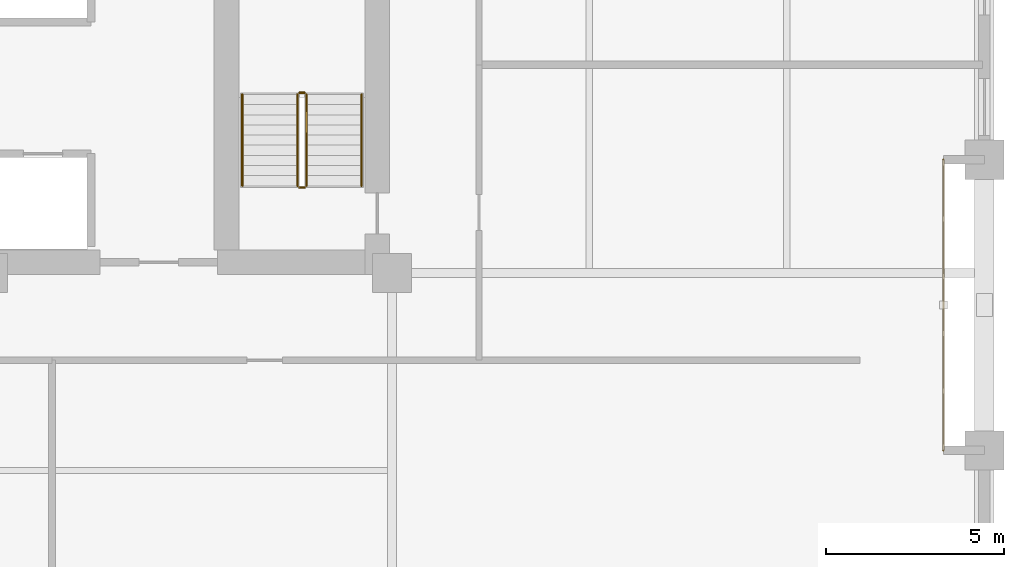
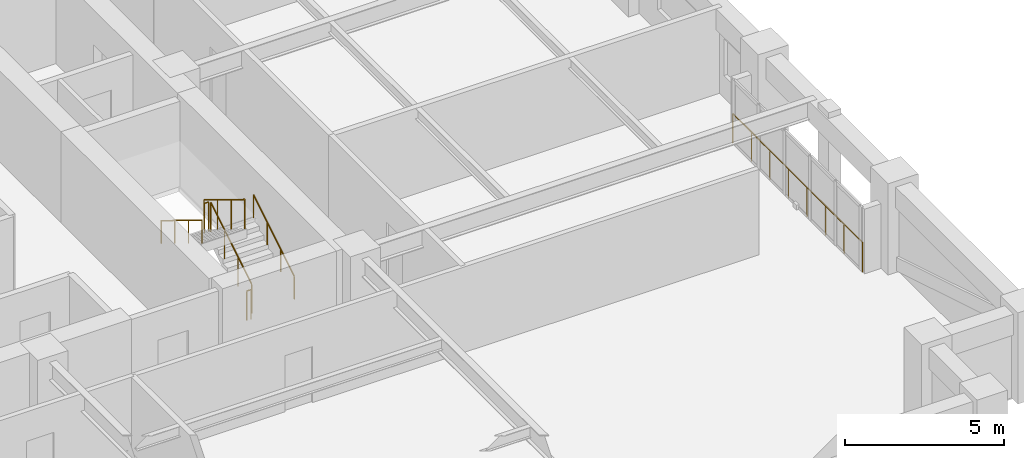
# One storey, part 12 of 13: 7 railings.
"""IFC4 building model written with IfcOpenShell, lengths in metres."""

from ifc_helpers import new_model, si_unit, direction, frame, origin, origin_2d, place, context, subcontext, project, spatial, circle, extrude, material, type_object, element, save


model = new_model("IFC4")

# Units and contexts
model_context = context("Model", 3, precision=1e-05, world=origin(), true_north=direction((0.0, 1.0)))
body_context = subcontext(model_context, "Body", "Model", "MODEL_VIEW")
ifc_project = project(units=[si_unit("LENGTHUNIT", "METRE"), si_unit("AREAUNIT", "SQUARE_METRE"), si_unit("VOLUMEUNIT", "CUBIC_METRE"), si_unit("PLANEANGLEUNIT", "RADIAN"), si_unit("MASSUNIT", "GRAM", prefix="KILO")], contexts=[model_context])

# Site, building, storey
site_placement = place(None, origin())
site = spatial("IfcSite", under=ifc_project, at=site_placement, CompositionType="ELEMENT")
building_placement = place(site_placement, origin())
building = spatial("IfcBuilding", under=site, at=building_placement, Name="Nhamokura Convention Tower", CompositionType="ELEMENT")
storey_placement = place(building_placement, frame((0.0, 0.0, 92.75)))
storey = spatial("IfcBuildingStorey", under=building, at=storey_placement, Name="L22", CompositionType="ELEMENT", Elevation=92.75)

# Railings
ifc_material_1 = material(Name="Anodised bronze stainless steel", Category="steel")
railing_type_1 = type_object("IfcRailingType", Name="StairWallHandrail_900", PredefinedType="HANDRAIL", material=ifc_material_1)
railing_1_placement = place(storey_placement, frame((42.5, 23.10009765625, 0.175048828125)))
element("IfcRailing", 1, at=railing_1_placement, inside=storey, type_object=railing_type_1, Name="L22 ST-02 stair handrail 1", PredefinedType="HANDRAIL", context=body_context, shape_type="SweptSolid", body=[
    extrude(circle(Radius=0.02392578125, at=origin_2d()), frame((0.0, 0.0, 0.8759765625), z_axis=(0.0, 0.852173129349, 0.523259933127), x_axis=(-1.0, 0.0, 0.0)), (0.0, 0.0, 1.0), 3.009765625),
    extrude(circle(Radius=0.02099609375, at=origin_2d()), origin(), (0.0, 0.0, 1.0), 0.851806640625),
    extrude(circle(Radius=0.02099609375, at=origin_2d()), frame((0.0, 0.85498046875, 0.52490234375)), (0.0, 0.0, 1.0), 0.851806640625),
    extrude(circle(Radius=0.02099609375, at=origin_2d()), frame((0.0, 1.7099609375, 1.050048828125)), (0.0, 0.0, 1.0), 0.851806640625),
    extrude(circle(Radius=0.02099609375, at=origin_2d()), frame((0.0, 2.56494140625, 1.574951171875)), (0.0, 0.0, 1.0), 0.851806640625),
])
railing_2_placement = place(storey_placement, frame((39.14990234375, 25.6650390625, 1.925048828125)))
element("IfcRailing", 2, at=railing_2_placement, inside=storey, type_object=railing_type_1, Name="L22 ST-02 stair handrail 2", PredefinedType="HANDRAIL", context=body_context, shape_type="SweptSolid", body=[
    extrude(circle(Radius=0.02392578125, at=origin_2d()), frame((0.0, 0.0, 0.8759765625), z_axis=(0.0, -0.852173129349, 0.523259933127), x_axis=(1.0, 0.0, 0.0)), (0.0, 0.0, 1.0), 3.009765625),
    extrude(circle(Radius=0.02099609375, at=origin_2d()), origin(), (0.0, 0.0, 1.0), 0.851806640625),
    extrude(circle(Radius=0.02099609375, at=origin_2d()), frame((0.0, -0.85498046875, 0.52490234375)), (0.0, 0.0, 1.0), 0.851806640625),
    extrude(circle(Radius=0.02099609375, at=origin_2d()), frame((0.0, -1.7099609375, 1.050048828125)), (0.0, 0.0, 1.0), 0.851806640625),
    extrude(circle(Radius=0.02099609375, at=origin_2d()), frame((0.0, -2.56494140625, 1.574951171875)), (0.0, 0.0, 1.0), 0.851806640625),
])
ifc_material_2 = material(Name="Painted tubular steel", Category="steel")
railing_type_2 = type_object("IfcRailingType", Name="StairWellGuardrail_1150", PredefinedType="GUARDRAIL", material=ifc_material_2)
railing_3_placement = place(storey_placement, frame((40.949951171875, 23.10009765625, 0.175048828125)))
element("IfcRailing", 3, at=railing_3_placement, inside=storey, type_object=railing_type_2, Name="L22 ST-02 stair guard 1", PredefinedType="GUARDRAIL", context=body_context, shape_type="SweptSolid", body=[
    extrude(circle(Radius=0.02392578125, at=origin_2d()), frame((0.0, 0.0, 1.1259765625), z_axis=(0.0, 0.852173129349, 0.523259933127), x_axis=(-1.0, 0.0, 0.0)), (0.0, 0.0, 1.0), 3.009765625),
    extrude(circle(Radius=0.02099609375, at=origin_2d()), origin(), (0.0, 0.0, 1.0), 1.101806640625),
    extrude(circle(Radius=0.02099609375, at=origin_2d()), frame((0.0, 0.85498046875, 0.52490234375)), (0.0, 0.0, 1.0), 1.101806640625),
    extrude(circle(Radius=0.02099609375, at=origin_2d()), frame((0.0, 1.7099609375, 1.050048828125)), (0.0, 0.0, 1.0), 1.101806640625),
    extrude(circle(Radius=0.02099609375, at=origin_2d()), frame((0.0, 2.56494140625, 1.574951171875)), (0.0, 0.0, 1.0), 1.101806640625),
])
railing_4_placement = place(storey_placement, frame((40.89990234375, 25.715087890625, 1.75)))
element("IfcRailing", 4, at=railing_4_placement, inside=storey, type_object=railing_type_2, Name="L22 ST-02 stair guard 2", PredefinedType="GUARDRAIL", context=body_context, shape_type="SweptSolid", body=[
    extrude(circle(Radius=0.02392578125, at=origin_2d()), frame((0.0, 0.0, 1.1259765625), z_axis=(-1.0, 0.0, 0.0), x_axis=(0.0, -1.0, 0.0)), (0.0, 0.0, 1.0), 0.14990234375),
    extrude(circle(Radius=0.02099609375, at=origin_2d()), origin(), (0.0, 0.0, 1.0), 1.101806640625),
    extrude(circle(Radius=0.02099609375, at=origin_2d()), frame((-0.14990234375, 0.0, 0.0)), (0.0, 0.0, 1.0), 1.101806640625),
])
railing_5_placement = place(storey_placement, frame((40.699951171875, 25.6650390625, 1.925048828125)))
element("IfcRailing", 5, at=railing_5_placement, inside=storey, type_object=railing_type_2, Name="L22 ST-02 stair guard 3", PredefinedType="GUARDRAIL", context=body_context, shape_type="SweptSolid", body=[
    extrude(circle(Radius=0.02392578125, at=origin_2d()), frame((0.0, 0.0, 1.1259765625), z_axis=(0.0, -0.852173129349, 0.523259933127), x_axis=(1.0, 0.0, 0.0)), (0.0, 0.0, 1.0), 3.009765625),
    extrude(circle(Radius=0.02099609375, at=origin_2d()), origin(), (0.0, 0.0, 1.0), 1.101806640625),
    extrude(circle(Radius=0.02099609375, at=origin_2d()), frame((0.0, -0.85498046875, 0.52490234375)), (0.0, 0.0, 1.0), 1.101806640625),
    extrude(circle(Radius=0.02099609375, at=origin_2d()), frame((0.0, -1.7099609375, 1.050048828125)), (0.0, 0.0, 1.0), 1.101806640625),
    extrude(circle(Radius=0.02099609375, at=origin_2d()), frame((0.0, -2.56494140625, 1.574951171875)), (0.0, 0.0, 1.0), 1.101806640625),
])
railing_6_placement = place(storey_placement, frame((40.89990234375, 23.050048828125, 0.0)))
element("IfcRailing", 6, at=railing_6_placement, inside=storey, type_object=railing_type_2, Name="L22 ST-02 stair guard 4", PredefinedType="GUARDRAIL", context=body_context, shape_type="SweptSolid", body=[
    extrude(circle(Radius=0.02392578125, at=origin_2d()), frame((0.0, 0.0, 1.1259765625), z_axis=(-1.0, 0.0, 0.0), x_axis=(0.0, -1.0, 0.0)), (0.0, 0.0, 1.0), 0.14990234375),
    extrude(circle(Radius=0.02099609375, at=origin_2d()), origin(), (0.0, 0.0, 1.0), 1.101806640625),
    extrude(circle(Radius=0.02099609375, at=origin_2d()), frame((-0.14990234375, 0.0, 0.0)), (0.0, 0.0, 1.0), 1.101806640625),
])
ifc_material_3 = material(Name="Anodised bronze stainless steel", Category="steel")
railing_type_3 = type_object("IfcRailingType", Name="TerraceGuardrail_1150", PredefinedType="GUARDRAIL", material=ifc_material_3)
railing_7_placement = place(storey_placement, frame((58.85009765625, 23.833251953125, 0.0)))
element("IfcRailing", 7, at=railing_7_placement, inside=storey, type_object=railing_type_3, Name="L22 Scale-Slot Edge Guardrail EAST 1", PredefinedType="GUARDRAIL", context=body_context, shape_type="SweptSolid", body=[
    extrude(circle(Radius=0.02392578125, at=origin_2d()), frame((0.0, 0.0, 1.1259765625), z_axis=(0.0, -1.0, 0.0), x_axis=(1.0, 0.0, 0.0)), (0.0, 0.0, 1.0), 8.16650390625),
    extrude(circle(Radius=0.02099609375, at=origin_2d()), origin(), (0.0, 0.0, 1.0), 1.101806640625),
    extrude(circle(Radius=0.02099609375, at=origin_2d()), frame((0.0, -1.166748046875, 0.0)), (0.0, 0.0, 1.0), 1.101806640625),
    extrude(circle(Radius=0.02099609375, at=origin_2d()), frame((0.0, -2.333251953125, 0.0)), (0.0, 0.0, 1.0), 1.101806640625),
    extrude(circle(Radius=0.02099609375, at=origin_2d()), frame((0.0, -3.5, 0.0)), (0.0, 0.0, 1.0), 1.101806640625),
    extrude(circle(Radius=0.02099609375, at=origin_2d()), frame((0.0, -4.66650390625, 0.0)), (0.0, 0.0, 1.0), 1.101806640625),
    extrude(circle(Radius=0.02099609375, at=origin_2d()), frame((0.0, -5.833251953125, 0.0)), (0.0, 0.0, 1.0), 1.101806640625),
    extrude(circle(Radius=0.02099609375, at=origin_2d()), frame((0.0, -6.999755859375, 0.0)), (0.0, 0.0, 1.0), 1.101806640625),
    extrude(circle(Radius=0.02099609375, at=origin_2d()), frame((0.0, -8.16650390625, 0.0)), (0.0, 0.0, 1.0), 1.101806640625),
])

save(model, "model.ifc")
